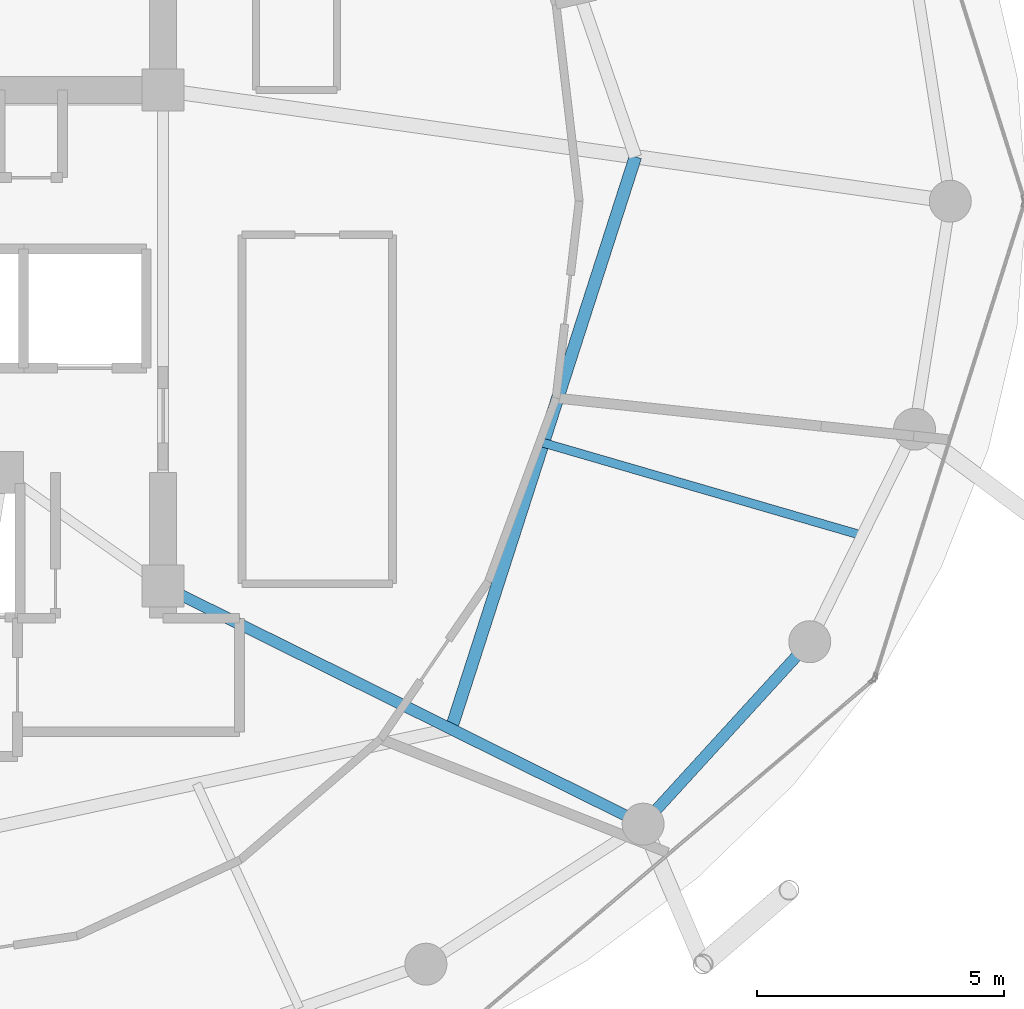
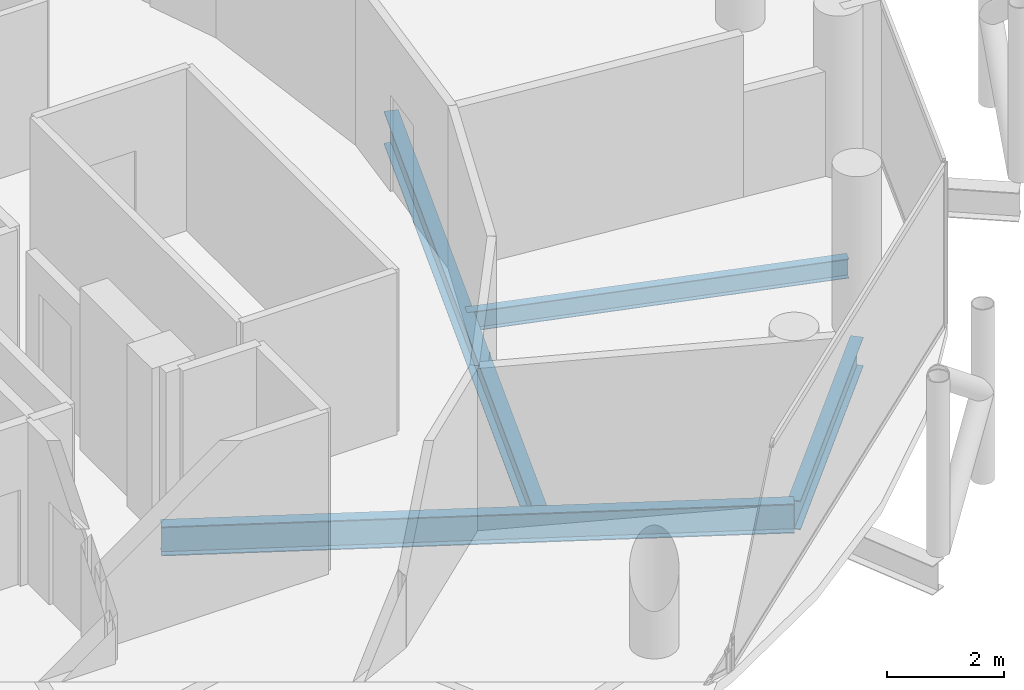
# One storey, part 12 of 27: 4 beams.
"""IFC4 building model written with IfcOpenShell, lengths in metres."""

from ifc_helpers import new_model, si_unit, direction, frame, origin, origin_2d, place, context, subcontext, project, spatial, i_section, extrude, material, material_profile, profile_set, type_object, element, save


model = new_model("IFC4")

# Units and contexts
model_context = context("Model", 3, precision=1e-05, world=origin(), true_north=direction((0.0, 1.0)))
body_context = subcontext(model_context, "Body", "Model", "MODEL_VIEW")
ifc_project = project(units=[si_unit("LENGTHUNIT", "METRE"), si_unit("AREAUNIT", "SQUARE_METRE"), si_unit("VOLUMEUNIT", "CUBIC_METRE"), si_unit("PLANEANGLEUNIT", "RADIAN"), si_unit("MASSUNIT", "GRAM", prefix="KILO")], contexts=[model_context])

# Site, building, storey
site_placement = place(None, origin())
site = spatial("IfcSite", under=ifc_project, at=site_placement, CompositionType="ELEMENT")
building_placement = place(site_placement, origin())
building = spatial("IfcBuilding", under=site, at=building_placement, Name="Nuhasar Tower", CompositionType="ELEMENT")
storey_placement = place(building_placement, frame((0.0, 0.0, 251.949951171875)))
storey = spatial("IfcBuildingStorey", under=building, at=storey_placement, Name="L62", CompositionType="ELEMENT", Elevation=251.949951171875)

# Beams
ifc_material = material(Name="Steel S355", Category="steel")
ifc_material_profile_1 = material_profile(ifc_material, i_section(OverallWidth=0.25390625, OverallDepth=0.68408203125, WebThickness=0.012451171875, FlangeThickness=0.018798828125, at=origin_2d()), Name="W27X94")
ifc_profile_set_1 = profile_set([ifc_material_profile_1], Name="Steel S355")
beam_type_1 = type_object("IfcBeamType", Name="BM-INRING-W27X94", PredefinedType="BEAM", material=ifc_profile_set_1)
beam_1_placement = place(storey_placement, frame((50.135986328125, 16.10693359375, -0.58203125), z_axis=(0.306589852134, 0.951841721385, 0.0), x_axis=(-0.951841721385, 0.306589852134, 0.0)))
element("IfcBeam", 1, at=beam_1_placement, inside=storey, type_object=beam_type_1, Name="L62 Inner Header Beam 03", PredefinedType="BEAM", context=body_context, shape_type="SweptSolid", body=[
    extrude(i_section(OverallWidth=0.25390625, OverallDepth=0.68408203125, WebThickness=0.012451171875, FlangeThickness=0.018798828125, at=origin_2d()), origin(), (0.0, 0.0, 1.0), 12.179443359375),
])
ifc_material_profile_2 = material_profile(ifc_material, i_section(OverallWidth=0.177978515625, OverallDepth=0.406005859375, WebThickness=0.0078125, FlangeThickness=0.0126953125, at=origin_2d()), Name="W16X40")
ifc_profile_set_2 = profile_set([ifc_material_profile_2], Name="Steel S355")
beam_type_2 = type_object("IfcBeamType", Name="BM-JST-W16X40", PredefinedType="JOIST", material=ifc_profile_set_2)
beam_2_placement = place(storey_placement, frame((52.0029296875, 21.904052734375, -0.44287109375), z_axis=(0.960312689798, -0.27892568511, 0.0), x_axis=(0.27892568511, 0.960312689798, 0.0)))
element("IfcBeam", 2, at=beam_2_placement, inside=storey, type_object=beam_type_2, Name="L62 Secondary Floor Joist 03", PredefinedType="JOIST", context=body_context, shape_type="SweptSolid", body=[
    extrude(i_section(OverallWidth=0.177978515625, OverallDepth=0.406005859375, WebThickness=0.0078125, FlangeThickness=0.0126953125, at=origin_2d()), origin(), (0.0, 0.0, 1.0), 6.729248046875),
])
ifc_material_profile_3 = material_profile(ifc_material, i_section(OverallWidth=0.22900390625, OverallDepth=0.612060546875, WebThickness=0.011962890625, FlangeThickness=0.01953125, at=origin_2d()), Name="W24X84")
ifc_profile_set_3 = profile_set([ifc_material_profile_3], Name="Steel S355")
beam_type_3 = type_object("IfcBeamType", Name="BM-RAD-W24X84", PredefinedType="BEAM", material=ifc_profile_set_3)
beam_3_placement = place(storey_placement, frame((44.300048828125, 19.0, -0.5458984375), z_axis=(0.895928935233, -0.444197414459, 0.0), x_axis=(0.444197414459, 0.895928935233, 0.0)))
element("IfcBeam", 3, at=beam_3_placement, inside=storey, type_object=beam_type_3, Name="L62 Radial Floor Girder 03", PredefinedType="BEAM", context=body_context, shape_type="SweptSolid", body=[
    extrude(i_section(OverallWidth=0.22900390625, OverallDepth=0.612060546875, WebThickness=0.011962890625, FlangeThickness=0.01953125, at=origin_2d()), origin(), (0.0, 0.0, 1.0), 10.85546875),
])
ifc_material_profile_4 = material_profile(ifc_material, i_section(OverallWidth=0.22802734375, OverallDepth=0.60791015625, WebThickness=0.01123046875, FlangeThickness=0.017333984375, at=origin_2d()), Name="W24X76")
ifc_profile_set_4 = profile_set([ifc_material_profile_4], Name="Steel S355")
beam_type_4 = type_object("IfcBeamType", Name="BM-RING-W24X76", PredefinedType="SPANDREL", material=ifc_profile_set_4)
beam_4_placement = place(storey_placement, frame((54.02587890625, 14.177978515625, -0.5439453125), z_axis=(0.674449692975, 0.738320805373, 0.0), x_axis=(-0.738320805373, 0.674449692975, 0.0)))
element("IfcBeam", 4, at=beam_4_placement, inside=storey, type_object=beam_type_4, Name="L62 Perimeter Ring Spandrel 22", PredefinedType="SPANDREL", context=body_context, shape_type="SweptSolid", body=[
    extrude(i_section(OverallWidth=0.22802734375, OverallDepth=0.60791015625, WebThickness=0.01123046875, FlangeThickness=0.017333984375, at=origin_2d()), origin(), (0.0, 0.0, 1.0), 5.00732421875),
])

save(model, "model.ifc")
